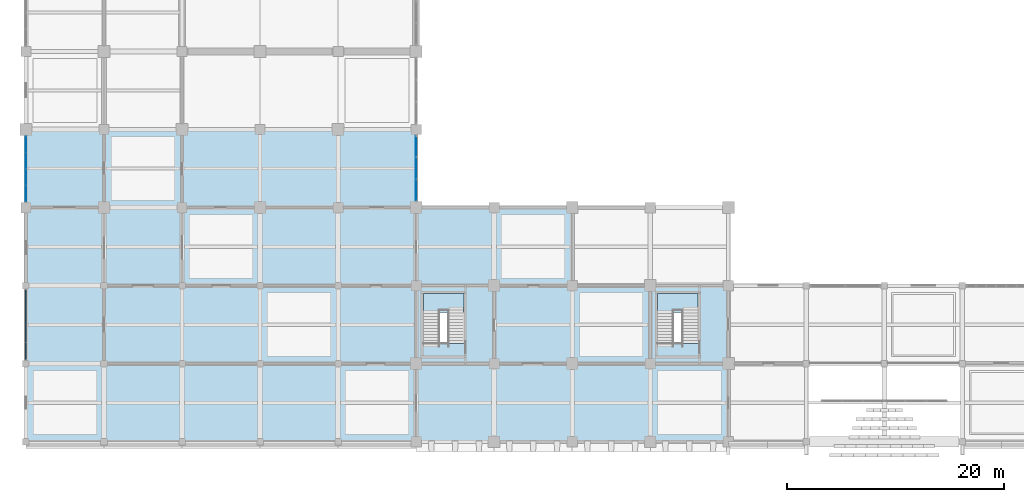
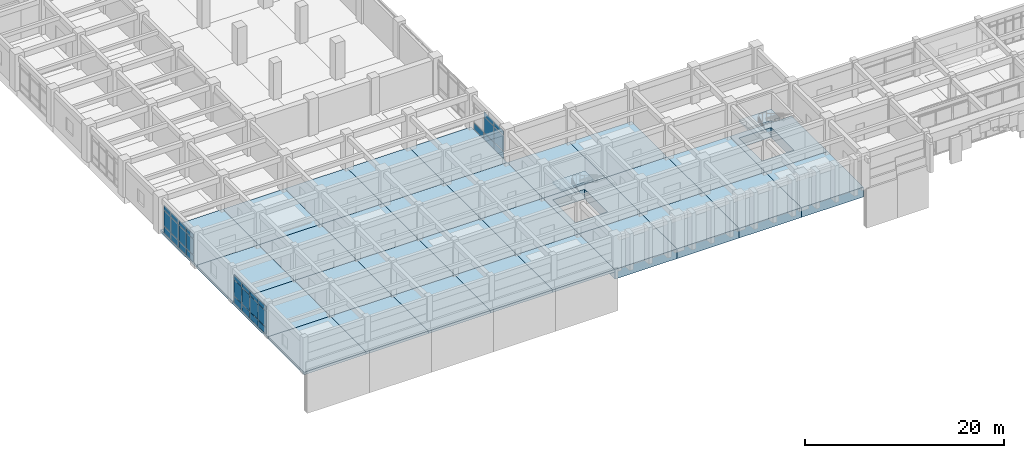
# One storey, part 38 of 81: 32 slabs, 31 plates, 5 elements without a shape of their own.
"""IFC4 building model written with IfcOpenShell, lengths in metres."""

from ifc_helpers import new_model, si_unit, direction, frame, origin, origin_2d, place, context, subcontext, project, spatial, polyline, rectangle, outline, extrude, material, layer, layer_set, type_object, element, aggregate, save


model = new_model("IFC4")

# Units and contexts
model_context = context("Model", 3, precision=1e-05, world=origin(), true_north=direction((0.0, 1.0)))
body_context = subcontext(model_context, "Body", "Model", "MODEL_VIEW")
ifc_project = project(units=[si_unit("LENGTHUNIT", "METRE"), si_unit("AREAUNIT", "SQUARE_METRE"), si_unit("VOLUMEUNIT", "CUBIC_METRE"), si_unit("PLANEANGLEUNIT", "RADIAN"), si_unit("MASSUNIT", "GRAM", prefix="KILO")], contexts=[model_context])

# Site, building, storey
site_placement = place(None, origin())
site = spatial("IfcSite", under=ifc_project, at=site_placement, CompositionType="ELEMENT")
building_placement = place(site_placement, origin())
building = spatial("IfcBuilding", under=site, at=building_placement, Name="Kavelor Marine Aquarium", CompositionType="ELEMENT")
storey_placement = place(building_placement, frame((0.0, 0.0, 4.679931640625)))
storey = spatial("IfcBuildingStorey", under=building, at=storey_placement, Name="L01", CompositionType="ELEMENT", Elevation=4.679931640625)

# Curtain wall, plates
ifc_material_1 = material(Name="Thermally Broken Aluminium and Low-E Glass", Category="aluminium")
ifc_layer_1 = layer(ifc_material_1, 0.243896484375)
ifc_layer_set_1 = layer_set([ifc_layer_1], Name="CW-SYS13")
curtain_wall_type_1 = type_object("IfcCurtainWallType", Name="CW-SYS13", PredefinedType="USERDEFINED", material=ifc_layer_set_1)
curtain_wall_1_placement = place(storey_placement, origin())
curtain_wall_1 = element("IfcCurtainWall", 1, at=curtain_wall_1_placement, inside=storey, type_object=curtain_wall_type_1, Name="cw:y:L01:00_03", ObjectType="Curtain Wall", PredefinedType="USERDEFINED")
ifc_material_2 = material(Name="Solar-Control Double Low-E Glazing", Category="glass")
ifc_layer_2 = layer(ifc_material_2, 0.02587890625)
ifc_layer_set_2 = layer_set([ifc_layer_2], Name="CWP-01")
plate_type_1 = type_object("IfcPlateType", Name="CWP-01", PredefinedType="CURTAIN_PANEL", material=ifc_layer_set_2)
plate_1_placement = place(storey_placement, frame((3.199951171875, 30.2255859375, 0.074951171875), z_axis=(0.0, 0.0, 1.0), x_axis=(0.0, -1.0, 0.0)))
plate_1 = element("IfcPlate", 2, at=plate_1_placement, type_object=plate_type_1, Name="CW13 panel 1.1", PredefinedType="CURTAIN_PANEL", context=body_context, shape_type="SweptSolid", body=[
    extrude(rectangle(XDim=1.40869140625, YDim=0.02587890625, at=origin_2d()), origin(), (0.0, 0.0, 1.0), 0.78759765625),
])
plate_2_placement = place(storey_placement, frame((3.199951171875, 30.2255859375, 0.9375), z_axis=(0.0, 0.0, 1.0), x_axis=(0.0, -1.0, 0.0)))
plate_2 = element("IfcPlate", 3, at=plate_2_placement, type_object=plate_type_1, Name="CW13 panel 1.2", PredefinedType="CURTAIN_PANEL", context=body_context, shape_type="SweptSolid", body=[
    extrude(rectangle(XDim=1.40869140625, YDim=0.02587890625, at=origin_2d()), origin(), (0.0, 0.0, 1.0), 1.885009765625),
])
plate_3_placement = place(storey_placement, frame((3.199951171875, 30.2255859375, 2.8974609375), z_axis=(0.0, 0.0, 1.0), x_axis=(0.0, -1.0, 0.0)))
plate_3 = element("IfcPlate", 4, at=plate_3_placement, type_object=plate_type_1, Name="CW13 panel 1.3", PredefinedType="CURTAIN_PANEL", context=body_context, shape_type="SweptSolid", body=[
    extrude(rectangle(XDim=1.40869140625, YDim=0.02587890625, at=origin_2d()), origin(), (0.0, 0.0, 1.0), 0.53759765625),
])
plate_4_placement = place(storey_placement, frame((3.199951171875, 28.72314453125, 0.074951171875), z_axis=(0.0, 0.0, 1.0), x_axis=(0.0, -1.0, 0.0)))
plate_4 = element("IfcPlate", 5, at=plate_4_placement, type_object=plate_type_1, Name="CW13 panel 2.1", PredefinedType="CURTAIN_PANEL", context=body_context, shape_type="SweptSolid", body=[
    extrude(rectangle(XDim=1.4462890625, YDim=0.02587890625, at=origin_2d()), origin(), (0.0, 0.0, 1.0), 0.78759765625),
])
plate_5_placement = place(storey_placement, frame((3.199951171875, 28.72314453125, 0.9375), z_axis=(0.0, 0.0, 1.0), x_axis=(0.0, -1.0, 0.0)))
plate_5 = element("IfcPlate", 6, at=plate_5_placement, type_object=plate_type_1, Name="CW13 panel 2.2", PredefinedType="CURTAIN_PANEL", context=body_context, shape_type="SweptSolid", body=[
    extrude(rectangle(XDim=1.4462890625, YDim=0.02587890625, at=origin_2d()), origin(), (0.0, 0.0, 1.0), 1.885009765625),
])
plate_6_placement = place(storey_placement, frame((3.199951171875, 28.72314453125, 2.8974609375), z_axis=(0.0, 0.0, 1.0), x_axis=(0.0, -1.0, 0.0)))
plate_6 = element("IfcPlate", 7, at=plate_6_placement, type_object=plate_type_1, Name="CW13 panel 2.3", PredefinedType="CURTAIN_PANEL", context=body_context, shape_type="SweptSolid", body=[
    extrude(rectangle(XDim=1.4462890625, YDim=0.02587890625, at=origin_2d()), origin(), (0.0, 0.0, 1.0), 0.53759765625),
])
plate_7_placement = place(storey_placement, frame((3.199951171875, 27.201904296875, 0.074951171875), z_axis=(0.0, 0.0, 1.0), x_axis=(0.0, -1.0, 0.0)))
plate_7 = element("IfcPlate", 8, at=plate_7_placement, type_object=plate_type_1, Name="CW13 panel 3.1", PredefinedType="CURTAIN_PANEL", context=body_context, shape_type="SweptSolid", body=[
    extrude(rectangle(XDim=1.4462890625, YDim=0.02587890625, at=origin_2d()), origin(), (0.0, 0.0, 1.0), 0.78759765625),
])
plate_8_placement = place(storey_placement, frame((3.199951171875, 27.201904296875, 0.9375), z_axis=(0.0, 0.0, 1.0), x_axis=(0.0, -1.0, 0.0)))
plate_8 = element("IfcPlate", 9, at=plate_8_placement, type_object=plate_type_1, Name="CW13 panel 3.2", PredefinedType="CURTAIN_PANEL", context=body_context, shape_type="SweptSolid", body=[
    extrude(rectangle(XDim=1.4462890625, YDim=0.02587890625, at=origin_2d()), origin(), (0.0, 0.0, 1.0), 1.885009765625),
])
plate_9_placement = place(storey_placement, frame((3.199951171875, 27.201904296875, 2.8974609375), z_axis=(0.0, 0.0, 1.0), x_axis=(0.0, -1.0, 0.0)))
plate_9 = element("IfcPlate", 10, at=plate_9_placement, type_object=plate_type_1, Name="CW13 panel 3.3", PredefinedType="CURTAIN_PANEL", context=body_context, shape_type="SweptSolid", body=[
    extrude(rectangle(XDim=1.4462890625, YDim=0.02587890625, at=origin_2d()), origin(), (0.0, 0.0, 1.0), 0.53759765625),
])
plate_10_placement = place(storey_placement, frame((3.199951171875, 25.699462890625, 0.074951171875), z_axis=(0.0, 0.0, 1.0), x_axis=(0.0, -1.0, 0.0)))
plate_10 = element("IfcPlate", 11, at=plate_10_placement, type_object=plate_type_1, Name="CW13 panel 4.1", PredefinedType="CURTAIN_PANEL", context=body_context, shape_type="SweptSolid", body=[
    extrude(rectangle(XDim=1.40869140625, YDim=0.02587890625, at=origin_2d()), origin(), (0.0, 0.0, 1.0), 0.78759765625),
])
plate_11_placement = place(storey_placement, frame((3.199951171875, 25.699462890625, 0.9375), z_axis=(0.0, 0.0, 1.0), x_axis=(0.0, -1.0, 0.0)))
plate_11 = element("IfcPlate", 12, at=plate_11_placement, type_object=plate_type_1, Name="CW13 panel 4.2", PredefinedType="CURTAIN_PANEL", context=body_context, shape_type="SweptSolid", body=[
    extrude(rectangle(XDim=1.40869140625, YDim=0.02587890625, at=origin_2d()), origin(), (0.0, 0.0, 1.0), 1.885009765625),
])
plate_12_placement = place(storey_placement, frame((3.199951171875, 25.699462890625, 2.8974609375), z_axis=(0.0, 0.0, 1.0), x_axis=(0.0, -1.0, 0.0)))
plate_12 = element("IfcPlate", 13, at=plate_12_placement, type_object=plate_type_1, Name="CW13 panel 4.3", PredefinedType="CURTAIN_PANEL", context=body_context, shape_type="SweptSolid", body=[
    extrude(rectangle(XDim=1.40869140625, YDim=0.02587890625, at=origin_2d()), origin(), (0.0, 0.0, 1.0), 0.53759765625),
])
aggregate(curtain_wall_1, [plate_1, plate_2, plate_3, plate_4, plate_5, plate_6, plate_7, plate_8, plate_9, plate_10, plate_11, plate_12])

ifc_material_3 = material(Name="Thermally Broken Aluminium and Low-E Glass", Category="aluminium")
ifc_layer_3 = layer(ifc_material_3, 0.26806640625)
ifc_layer_set_3 = layer_set([ifc_layer_3], Name="CW-SYS16")
curtain_wall_type_2 = type_object("IfcCurtainWallType", Name="CW-SYS16", PredefinedType="USERDEFINED", material=ifc_layer_set_3)
curtain_wall_2_placement = place(storey_placement, origin())
curtain_wall_2 = element("IfcCurtainWall", 14, at=curtain_wall_2_placement, inside=storey, type_object=curtain_wall_type_2, Name="cw:y:L01:05_03", ObjectType="Curtain Wall", PredefinedType="USERDEFINED")
ifc_material_4 = material(Name="Solar-Control Double Low-E Glazing", Category="glass")
ifc_layer_4 = layer(ifc_material_4, 0.031982421875)
ifc_layer_set_4 = layer_set([ifc_layer_4], Name="CWP-04")
plate_type_2 = type_object("IfcPlateType", Name="CWP-04", PredefinedType="CURTAIN_PANEL", material=ifc_layer_set_4)
plate_13_placement = place(storey_placement, frame((39.199951171875, 26.02783203125, 0.06005859375), z_axis=(0.0, 0.0, 1.0), x_axis=(0.0, 1.0, 0.0)))
plate_13 = element("IfcPlate", 15, at=plate_13_placement, type_object=plate_type_2, Name="CW16 panel 1.1", PredefinedType="CURTAIN_PANEL", context=body_context, shape_type="SweptSolid", body=[
    extrude(rectangle(XDim=1.915771484375, YDim=0.031982421875, at=origin_2d()), origin(), (0.0, 0.0, 1.0), 0.81005859375),
])
plate_14_placement = place(storey_placement, frame((39.199951171875, 26.02783203125, 0.93017578125), z_axis=(0.0, 0.0, 1.0), x_axis=(0.0, 1.0, 0.0)))
plate_14 = element("IfcPlate", 16, at=plate_14_placement, type_object=plate_type_2, Name="CW16 panel 1.2", PredefinedType="CURTAIN_PANEL", context=body_context, shape_type="SweptSolid", body=[
    extrude(rectangle(XDim=1.915771484375, YDim=0.031982421875, at=origin_2d()), origin(), (0.0, 0.0, 1.0), 1.89990234375),
])
plate_15_placement = place(storey_placement, frame((39.199951171875, 26.02783203125, 2.89013671875), z_axis=(0.0, 0.0, 1.0), x_axis=(0.0, 1.0, 0.0)))
plate_15 = element("IfcPlate", 17, at=plate_15_placement, type_object=plate_type_2, Name="CW16 panel 1.3", PredefinedType="CURTAIN_PANEL", context=body_context, shape_type="SweptSolid", body=[
    extrude(rectangle(XDim=1.915771484375, YDim=0.031982421875, at=origin_2d()), origin(), (0.0, 0.0, 1.0), 0.56005859375),
])
plate_16_placement = place(storey_placement, frame((39.199951171875, 28.03759765625, 0.06005859375), z_axis=(0.0, 0.0, 1.0), x_axis=(0.0, 1.0, 0.0)))
plate_16 = element("IfcPlate", 18, at=plate_16_placement, type_object=plate_type_2, Name="CW16 panel 2.1", PredefinedType="CURTAIN_PANEL", context=body_context, shape_type="SweptSolid", body=[
    extrude(rectangle(XDim=1.953369140625, YDim=0.031982421875, at=origin_2d()), origin(), (0.0, 0.0, 1.0), 0.81005859375),
])
plate_17_placement = place(storey_placement, frame((39.199951171875, 28.03759765625, 0.93017578125), z_axis=(0.0, 0.0, 1.0), x_axis=(0.0, 1.0, 0.0)))
plate_17 = element("IfcPlate", 19, at=plate_17_placement, type_object=plate_type_2, Name="CW16 panel 2.2", PredefinedType="CURTAIN_PANEL", context=body_context, shape_type="SweptSolid", body=[
    extrude(rectangle(XDim=1.953369140625, YDim=0.031982421875, at=origin_2d()), origin(), (0.0, 0.0, 1.0), 1.89990234375),
])
plate_18_placement = place(storey_placement, frame((39.199951171875, 28.03759765625, 2.89013671875), z_axis=(0.0, 0.0, 1.0), x_axis=(0.0, 1.0, 0.0)))
plate_18 = element("IfcPlate", 20, at=plate_18_placement, type_object=plate_type_2, Name="CW16 panel 2.3", PredefinedType="CURTAIN_PANEL", context=body_context, shape_type="SweptSolid", body=[
    extrude(rectangle(XDim=1.953369140625, YDim=0.031982421875, at=origin_2d()), origin(), (0.0, 0.0, 1.0), 0.56005859375),
])
plate_19_placement = place(storey_placement, frame((39.199951171875, 30.047119140625, 0.06005859375), z_axis=(0.0, 0.0, 1.0), x_axis=(0.0, 1.0, 0.0)))
plate_19 = element("IfcPlate", 21, at=plate_19_placement, type_object=plate_type_2, Name="CW16 panel 3.1", PredefinedType="CURTAIN_PANEL", context=body_context, shape_type="SweptSolid", body=[
    extrude(rectangle(XDim=1.915771484375, YDim=0.031982421875, at=origin_2d()), origin(), (0.0, 0.0, 1.0), 0.81005859375),
])
aggregate(curtain_wall_2, [plate_13, plate_14, plate_15, plate_16, plate_17, plate_18, plate_19])

ifc_material_5 = material(Name="Thermally Broken Aluminium and Low-E Glass", Category="aluminium")
ifc_layer_5 = layer(ifc_material_5, 0.236083984375)
ifc_layer_set_5 = layer_set([ifc_layer_5], Name="CW-SYS12")
curtain_wall_type_3 = type_object("IfcCurtainWallType", Name="CW-SYS12", PredefinedType="USERDEFINED", material=ifc_layer_set_5)
curtain_wall_3_placement = place(storey_placement, origin())
curtain_wall_3 = element("IfcCurtainWall", 22, at=curtain_wall_3_placement, inside=storey, type_object=curtain_wall_type_3, Name="cw:y:L01:00_01", ObjectType="Curtain Wall", PredefinedType="USERDEFINED")
ifc_material_6 = material(Name="Laminated Cast Acrylic Viewing Glazing", Category="glass")
ifc_layer_6 = layer(ifc_material_6, 0.095947265625)
ifc_layer_set_6 = layer_set([ifc_layer_6], Name="CWP-36")
plate_type_3 = type_object("IfcPlateType", Name="CWP-36", PredefinedType="CURTAIN_PANEL", material=ifc_layer_set_6)
plate_20_placement = place(storey_placement, frame((3.199951171875, 16.0263671875, 0.074951171875), z_axis=(0.0, 0.0, 1.0), x_axis=(0.0, -1.0, 0.0)))
plate_20 = element("IfcPlate", 23, at=plate_20_placement, type_object=plate_type_3, Name="CW12 panel 1.1", PredefinedType="CURTAIN_PANEL", context=body_context, shape_type="SweptSolid", body=[
    extrude(rectangle(XDim=1.53759765625, YDim=0.095947265625, at=origin_2d()), origin(), (0.0, 0.0, 1.0), 0.78759765625),
])
plate_21_placement = place(storey_placement, frame((3.199951171875, 16.0263671875, 0.9375), z_axis=(0.0, 0.0, 1.0), x_axis=(0.0, -1.0, 0.0)))
plate_21 = element("IfcPlate", 24, at=plate_21_placement, type_object=plate_type_3, Name="CW12 panel 1.2", PredefinedType="CURTAIN_PANEL", context=body_context, shape_type="SweptSolid", body=[
    extrude(rectangle(XDim=1.53759765625, YDim=0.095947265625, at=origin_2d()), origin(), (0.0, 0.0, 1.0), 1.925048828125),
])
plate_22_placement = place(storey_placement, frame((3.199951171875, 16.0263671875, 2.9375), z_axis=(0.0, 0.0, 1.0), x_axis=(0.0, -1.0, 0.0)))
plate_22 = element("IfcPlate", 25, at=plate_22_placement, type_object=plate_type_3, Name="CW12 panel 1.3", PredefinedType="CURTAIN_PANEL", context=body_context, shape_type="SweptSolid", body=[
    extrude(rectangle(XDim=1.53759765625, YDim=0.095947265625, at=origin_2d()), origin(), (0.0, 0.0, 1.0), 0.53759765625),
])
plate_23_placement = place(storey_placement, frame((3.199951171875, 14.413818359375, 0.074951171875), z_axis=(0.0, 0.0, 1.0), x_axis=(0.0, -1.0, 0.0)))
plate_23 = element("IfcPlate", 26, at=plate_23_placement, type_object=plate_type_3, Name="CW12 panel 2.1", PredefinedType="CURTAIN_PANEL", context=body_context, shape_type="SweptSolid", body=[
    extrude(rectangle(XDim=1.5673828125, YDim=0.095947265625, at=origin_2d()), origin(), (0.0, 0.0, 1.0), 0.78759765625),
])
plate_24_placement = place(storey_placement, frame((3.199951171875, 14.413818359375, 0.9375), z_axis=(0.0, 0.0, 1.0), x_axis=(0.0, -1.0, 0.0)))
plate_24 = element("IfcPlate", 27, at=plate_24_placement, type_object=plate_type_3, Name="CW12 panel 2.2", PredefinedType="CURTAIN_PANEL", context=body_context, shape_type="SweptSolid", body=[
    extrude(rectangle(XDim=1.5673828125, YDim=0.095947265625, at=origin_2d()), origin(), (0.0, 0.0, 1.0), 1.925048828125),
])
plate_25_placement = place(storey_placement, frame((3.199951171875, 14.413818359375, 2.9375), z_axis=(0.0, 0.0, 1.0), x_axis=(0.0, -1.0, 0.0)))
plate_25 = element("IfcPlate", 28, at=plate_25_placement, type_object=plate_type_3, Name="CW12 panel 2.3", PredefinedType="CURTAIN_PANEL", context=body_context, shape_type="SweptSolid", body=[
    extrude(rectangle(XDim=1.5673828125, YDim=0.095947265625, at=origin_2d()), origin(), (0.0, 0.0, 1.0), 0.53759765625),
])
plate_26_placement = place(storey_placement, frame((3.199951171875, 12.7861328125, 0.074951171875), z_axis=(0.0, 0.0, 1.0), x_axis=(0.0, -1.0, 0.0)))
plate_26 = element("IfcPlate", 29, at=plate_26_placement, type_object=plate_type_3, Name="CW12 panel 3.1", PredefinedType="CURTAIN_PANEL", context=body_context, shape_type="SweptSolid", body=[
    extrude(rectangle(XDim=1.5673828125, YDim=0.095947265625, at=origin_2d()), origin(), (0.0, 0.0, 1.0), 0.78759765625),
])
plate_27_placement = place(storey_placement, frame((3.199951171875, 12.7861328125, 0.9375), z_axis=(0.0, 0.0, 1.0), x_axis=(0.0, -1.0, 0.0)))
plate_27 = element("IfcPlate", 30, at=plate_27_placement, type_object=plate_type_3, Name="CW12 panel 3.2", PredefinedType="CURTAIN_PANEL", context=body_context, shape_type="SweptSolid", body=[
    extrude(rectangle(XDim=1.5673828125, YDim=0.095947265625, at=origin_2d()), origin(), (0.0, 0.0, 1.0), 1.925048828125),
])
plate_28_placement = place(storey_placement, frame((3.199951171875, 12.7861328125, 2.9375), z_axis=(0.0, 0.0, 1.0), x_axis=(0.0, -1.0, 0.0)))
plate_28 = element("IfcPlate", 31, at=plate_28_placement, type_object=plate_type_3, Name="CW12 panel 3.3", PredefinedType="CURTAIN_PANEL", context=body_context, shape_type="SweptSolid", body=[
    extrude(rectangle(XDim=1.5673828125, YDim=0.095947265625, at=origin_2d()), origin(), (0.0, 0.0, 1.0), 0.53759765625),
])
plate_29_placement = place(storey_placement, frame((3.199951171875, 11.173828125, 0.074951171875), z_axis=(0.0, 0.0, 1.0), x_axis=(0.0, -1.0, 0.0)))
plate_29 = element("IfcPlate", 32, at=plate_29_placement, type_object=plate_type_3, Name="CW12 panel 4.1", PredefinedType="CURTAIN_PANEL", context=body_context, shape_type="SweptSolid", body=[
    extrude(rectangle(XDim=1.53759765625, YDim=0.095947265625, at=origin_2d()), origin(), (0.0, 0.0, 1.0), 0.78759765625),
])
plate_30_placement = place(storey_placement, frame((3.199951171875, 11.173828125, 0.9375), z_axis=(0.0, 0.0, 1.0), x_axis=(0.0, -1.0, 0.0)))
plate_30 = element("IfcPlate", 33, at=plate_30_placement, type_object=plate_type_3, Name="CW12 panel 4.2", PredefinedType="CURTAIN_PANEL", context=body_context, shape_type="SweptSolid", body=[
    extrude(rectangle(XDim=1.53759765625, YDim=0.095947265625, at=origin_2d()), origin(), (0.0, 0.0, 1.0), 1.925048828125),
])
plate_31_placement = place(storey_placement, frame((3.199951171875, 11.173828125, 2.9375), z_axis=(0.0, 0.0, 1.0), x_axis=(0.0, -1.0, 0.0)))
plate_31 = element("IfcPlate", 34, at=plate_31_placement, type_object=plate_type_3, Name="CW12 panel 4.3", PredefinedType="CURTAIN_PANEL", context=body_context, shape_type="SweptSolid", body=[
    extrude(rectangle(XDim=1.53759765625, YDim=0.095947265625, at=origin_2d()), origin(), (0.0, 0.0, 1.0), 0.53759765625),
])
aggregate(curtain_wall_3, [plate_20, plate_21, plate_22, plate_23, plate_24, plate_25, plate_26, plate_27, plate_28, plate_29, plate_30, plate_31])

# Stair, slab
ifc_material_7 = material(Name="Concrete C40/50", Category="concrete")
stair_type = type_object("IfcStairType", Name="ST-T2", PredefinedType="HALF_TURN_STAIR", material=ifc_material_7)
stair_1_placement = place(storey_placement, origin())
stair_1 = element("IfcStair", 35, at=stair_1_placement, inside=storey, type_object=stair_type, Name="Exit Stair ST04 (L01)", PredefinedType="HALF_TURN_STAIR")
ifc_material_8 = material(Name="Concrete C40/50", Category="concrete")
ifc_layer_7 = layer(ifc_material_8, 0.199951171875)
ifc_layer_set_7 = layer_set([ifc_layer_7], Name="LND-T2")
slab_type_1 = type_object("IfcSlabType", Name="LND-T2", PredefinedType="LANDING", material=ifc_layer_set_7)
slab_1_placement = place(storey_placement, frame((0.0, 0.0, 2.050048828125)))
slab_1 = element("IfcSlab", 36, at=slab_1_placement, type_object=slab_type_1, Name="ST04 landing 1", PredefinedType="LANDING", context=body_context, shape_type="SweptSolid", body=[
    extrude(outline(polyline([(39.860107421875, 14.739990234375), (43.6201171875, 14.739990234375), (43.6201171875, 16.4599609375), (39.860107421875, 16.4599609375), (39.860107421875, 14.739990234375)])), origin(), (0.0, 0.0, 1.0), 0.199951171875),
])
aggregate(stair_1, [slab_1])

stair_2_placement = place(storey_placement, origin())
stair_2 = element("IfcStair", 37, at=stair_2_placement, inside=storey, type_object=stair_type, Name="Exit Stair ST12 (L01)", PredefinedType="HALF_TURN_STAIR")
slab_2_placement = place(storey_placement, frame((0.0, 0.0, 2.050048828125)))
slab_2 = element("IfcSlab", 38, at=slab_2_placement, type_object=slab_type_1, Name="ST12 landing 1", PredefinedType="LANDING", context=body_context, shape_type="SweptSolid", body=[
    extrude(outline(polyline([(61.4599609375, 14.739990234375), (65.219970703125, 14.739990234375), (65.219970703125, 16.4599609375), (61.4599609375, 16.4599609375), (61.4599609375, 14.739990234375)])), origin(), (0.0, 0.0, 1.0), 0.199951171875),
])
aggregate(stair_2, [slab_2])

# Slabs
ifc_material_9 = material(Name="Concrete C40/50", Category="concrete")
ifc_layer_8 = layer(ifc_material_9, 0.300048828125)
ifc_layer_set_8 = layer_set([ifc_layer_8], Name="SL-FL1")
slab_type_2 = type_object("IfcSlabType", Name="SL-FL1", PredefinedType="FLOOR", material=ifc_layer_set_8)
slab_3_placement = place(storey_placement, frame((0.0, 0.0, -0.300048828125)))
element("IfcSlab", 39, at=slab_3_placement, inside=storey, type_object=slab_type_2, Name="slab:L01:00_00", PredefinedType="FLOOR", context=body_context, shape_type="SweptSolid", body=[
    extrude(outline(polyline([(3.199951171875, 2.800048828125), (10.39990234375, 2.800048828125), (10.39990234375, 10.0), (3.199951171875, 10.0), (3.199951171875, 2.800048828125)])), origin(), (0.0, 0.0, 1.0), 0.300048828125),
])
slab_4_placement = place(storey_placement, frame((0.0, 0.0, -0.300048828125)))
element("IfcSlab", 40, at=slab_4_placement, inside=storey, type_object=slab_type_2, Name="slab:L01:00_01", PredefinedType="FLOOR", context=body_context, shape_type="SweptSolid", body=[
    extrude(outline(polyline([(3.199951171875, 10.0), (10.39990234375, 10.0), (10.39990234375, 17.199951171875), (3.199951171875, 17.199951171875), (3.199951171875, 10.0)])), origin(), (0.0, 0.0, 1.0), 0.300048828125),
])
slab_5_placement = place(storey_placement, frame((0.0, 0.0, -0.300048828125)))
element("IfcSlab", 41, at=slab_5_placement, inside=storey, type_object=slab_type_2, Name="slab:L01:00_02", PredefinedType="FLOOR", context=body_context, shape_type="SweptSolid", body=[
    extrude(outline(polyline([(3.199951171875, 17.199951171875), (10.39990234375, 17.199951171875), (10.39990234375, 24.39990234375), (3.199951171875, 24.39990234375), (3.199951171875, 17.199951171875)])), origin(), (0.0, 0.0, 1.0), 0.300048828125),
])
slab_6_placement = place(storey_placement, frame((0.0, 0.0, -0.300048828125)))
element("IfcSlab", 42, at=slab_6_placement, inside=storey, type_object=slab_type_2, Name="slab:L01:00_03", PredefinedType="FLOOR", context=body_context, shape_type="SweptSolid", body=[
    extrude(outline(polyline([(3.199951171875, 24.39990234375), (10.39990234375, 24.39990234375), (10.39990234375, 31.60009765625), (3.199951171875, 31.60009765625), (3.199951171875, 24.39990234375)])), origin(), (0.0, 0.0, 1.0), 0.300048828125),
])
slab_7_placement = place(storey_placement, frame((0.0, 0.0, -0.300048828125)))
element("IfcSlab", 43, at=slab_7_placement, inside=storey, type_object=slab_type_2, Name="slab:L01:01_00", PredefinedType="FLOOR", context=body_context, shape_type="SweptSolid", body=[
    extrude(outline(polyline([(10.39990234375, 2.800048828125), (17.60009765625, 2.800048828125), (17.60009765625, 10.0), (10.39990234375, 10.0), (10.39990234375, 2.800048828125)])), origin(), (0.0, 0.0, 1.0), 0.300048828125),
])
slab_8_placement = place(storey_placement, frame((0.0, 0.0, -0.300048828125)))
element("IfcSlab", 44, at=slab_8_placement, inside=storey, type_object=slab_type_2, Name="slab:L01:01_01", PredefinedType="FLOOR", context=body_context, shape_type="SweptSolid", body=[
    extrude(outline(polyline([(10.39990234375, 10.0), (17.60009765625, 10.0), (17.60009765625, 17.199951171875), (10.39990234375, 17.199951171875), (10.39990234375, 10.0)])), origin(), (0.0, 0.0, 1.0), 0.300048828125),
])
slab_9_placement = place(storey_placement, frame((0.0, 0.0, -0.300048828125)))
element("IfcSlab", 45, at=slab_9_placement, inside=storey, type_object=slab_type_2, Name="slab:L01:01_02", PredefinedType="FLOOR", context=body_context, shape_type="SweptSolid", body=[
    extrude(outline(polyline([(10.39990234375, 17.199951171875), (17.60009765625, 17.199951171875), (17.60009765625, 24.39990234375), (10.39990234375, 24.39990234375), (10.39990234375, 17.199951171875)])), origin(), (0.0, 0.0, 1.0), 0.300048828125),
])
slab_10_placement = place(storey_placement, frame((0.0, 0.0, -0.300048828125)))
element("IfcSlab", 46, at=slab_10_placement, inside=storey, type_object=slab_type_2, Name="slab:L01:01_03", PredefinedType="FLOOR", context=body_context, shape_type="SweptSolid", body=[
    extrude(outline(polyline([(10.39990234375, 24.39990234375), (17.60009765625, 24.39990234375), (17.60009765625, 31.60009765625), (10.39990234375, 31.60009765625), (10.39990234375, 24.39990234375)])), origin(), (0.0, 0.0, 1.0), 0.300048828125),
])
slab_11_placement = place(storey_placement, frame((0.0, 0.0, -0.300048828125)))
element("IfcSlab", 47, at=slab_11_placement, inside=storey, type_object=slab_type_2, Name="slab:L01:02_00", PredefinedType="FLOOR", context=body_context, shape_type="SweptSolid", body=[
    extrude(outline(polyline([(17.60009765625, 2.800048828125), (24.800048828125, 2.800048828125), (24.800048828125, 10.0), (17.60009765625, 10.0), (17.60009765625, 2.800048828125)])), origin(), (0.0, 0.0, 1.0), 0.300048828125),
])
slab_12_placement = place(storey_placement, frame((0.0, 0.0, -0.300048828125)))
element("IfcSlab", 48, at=slab_12_placement, inside=storey, type_object=slab_type_2, Name="slab:L01:02_01", PredefinedType="FLOOR", context=body_context, shape_type="SweptSolid", body=[
    extrude(outline(polyline([(17.60009765625, 10.0), (24.800048828125, 10.0), (24.800048828125, 17.199951171875), (17.60009765625, 17.199951171875), (17.60009765625, 10.0)])), origin(), (0.0, 0.0, 1.0), 0.300048828125),
])
slab_13_placement = place(storey_placement, frame((0.0, 0.0, -0.300048828125)))
element("IfcSlab", 49, at=slab_13_placement, inside=storey, type_object=slab_type_2, Name="slab:L01:02_02", PredefinedType="FLOOR", context=body_context, shape_type="SweptSolid", body=[
    extrude(outline(polyline([(17.60009765625, 17.199951171875), (24.800048828125, 17.199951171875), (24.800048828125, 24.39990234375), (17.60009765625, 24.39990234375), (17.60009765625, 17.199951171875)])), origin(), (0.0, 0.0, 1.0), 0.300048828125),
])
slab_14_placement = place(storey_placement, frame((0.0, 0.0, -0.300048828125)))
element("IfcSlab", 50, at=slab_14_placement, inside=storey, type_object=slab_type_2, Name="slab:L01:02_03", PredefinedType="FLOOR", context=body_context, shape_type="SweptSolid", body=[
    extrude(outline(polyline([(17.60009765625, 24.39990234375), (24.800048828125, 24.39990234375), (24.800048828125, 31.60009765625), (17.60009765625, 31.60009765625), (17.60009765625, 24.39990234375)])), origin(), (0.0, 0.0, 1.0), 0.300048828125),
])
slab_15_placement = place(storey_placement, frame((0.0, 0.0, -0.300048828125)))
element("IfcSlab", 51, at=slab_15_placement, inside=storey, type_object=slab_type_2, Name="slab:L01:03_00", PredefinedType="FLOOR", context=body_context, shape_type="SweptSolid", body=[
    extrude(outline(polyline([(24.800048828125, 2.800048828125), (32.0, 2.800048828125), (32.0, 10.0), (24.800048828125, 10.0), (24.800048828125, 2.800048828125)])), origin(), (0.0, 0.0, 1.0), 0.300048828125),
])
slab_16_placement = place(storey_placement, frame((0.0, 0.0, -0.300048828125)))
element("IfcSlab", 52, at=slab_16_placement, inside=storey, type_object=slab_type_2, Name="slab:L01:03_01", PredefinedType="FLOOR", context=body_context, shape_type="SweptSolid", body=[
    extrude(outline(polyline([(24.800048828125, 10.0), (32.0, 10.0), (32.0, 17.199951171875), (24.800048828125, 17.199951171875), (24.800048828125, 10.0)])), origin(), (0.0, 0.0, 1.0), 0.300048828125),
])
slab_17_placement = place(storey_placement, frame((0.0, 0.0, -0.300048828125)))
element("IfcSlab", 53, at=slab_17_placement, inside=storey, type_object=slab_type_2, Name="slab:L01:03_02", PredefinedType="FLOOR", context=body_context, shape_type="SweptSolid", body=[
    extrude(outline(polyline([(24.800048828125, 17.199951171875), (32.0, 17.199951171875), (32.0, 24.39990234375), (24.800048828125, 24.39990234375), (24.800048828125, 17.199951171875)])), origin(), (0.0, 0.0, 1.0), 0.300048828125),
])
slab_18_placement = place(storey_placement, frame((0.0, 0.0, -0.300048828125)))
element("IfcSlab", 54, at=slab_18_placement, inside=storey, type_object=slab_type_2, Name="slab:L01:03_03", PredefinedType="FLOOR", context=body_context, shape_type="SweptSolid", body=[
    extrude(outline(polyline([(24.800048828125, 24.39990234375), (32.0, 24.39990234375), (32.0, 31.60009765625), (24.800048828125, 31.60009765625), (24.800048828125, 24.39990234375)])), origin(), (0.0, 0.0, 1.0), 0.300048828125),
])
slab_19_placement = place(storey_placement, frame((0.0, 0.0, -0.300048828125)))
element("IfcSlab", 55, at=slab_19_placement, inside=storey, type_object=slab_type_2, Name="slab:L01:04_00", PredefinedType="FLOOR", context=body_context, shape_type="SweptSolid", body=[
    extrude(outline(polyline([(32.0, 2.800048828125), (39.199951171875, 2.800048828125), (39.199951171875, 10.0), (32.0, 10.0), (32.0, 2.800048828125)])), origin(), (0.0, 0.0, 1.0), 0.300048828125),
])
slab_20_placement = place(storey_placement, frame((0.0, 0.0, -0.300048828125)))
element("IfcSlab", 56, at=slab_20_placement, inside=storey, type_object=slab_type_2, Name="slab:L01:04_01", PredefinedType="FLOOR", context=body_context, shape_type="SweptSolid", body=[
    extrude(outline(polyline([(32.0, 10.0), (39.199951171875, 10.0), (39.199951171875, 17.199951171875), (32.0, 17.199951171875), (32.0, 10.0)])), origin(), (0.0, 0.0, 1.0), 0.300048828125),
])
slab_21_placement = place(storey_placement, frame((0.0, 0.0, -0.300048828125)))
element("IfcSlab", 57, at=slab_21_placement, inside=storey, type_object=slab_type_2, Name="slab:L01:04_02", PredefinedType="FLOOR", context=body_context, shape_type="SweptSolid", body=[
    extrude(outline(polyline([(32.0, 17.199951171875), (39.199951171875, 17.199951171875), (39.199951171875, 24.39990234375), (32.0, 24.39990234375), (32.0, 17.199951171875)])), origin(), (0.0, 0.0, 1.0), 0.300048828125),
])
slab_22_placement = place(storey_placement, frame((0.0, 0.0, -0.300048828125)))
element("IfcSlab", 58, at=slab_22_placement, inside=storey, type_object=slab_type_2, Name="slab:L01:04_03", PredefinedType="FLOOR", context=body_context, shape_type="SweptSolid", body=[
    extrude(outline(polyline([(32.0, 24.39990234375), (39.199951171875, 24.39990234375), (39.199951171875, 31.60009765625), (32.0, 31.60009765625), (32.0, 24.39990234375)])), origin(), (0.0, 0.0, 1.0), 0.300048828125),
])
ifc_material_10 = material(Name="Concrete C45/55", Category="concrete")
ifc_layer_9 = layer(ifc_material_10, 1.199951171875)
ifc_layer_set_9 = layer_set([ifc_layer_9], Name="SL-TR1")
slab_type_3 = type_object("IfcSlabType", Name="SL-TR1", PredefinedType="FLOOR", material=ifc_layer_set_9)
slab_23_placement = place(storey_placement, frame((0.0, 0.0, -1.199951171875)))
element("IfcSlab", 59, at=slab_23_placement, inside=storey, type_object=slab_type_3, Name="slab:L01:05_00", PredefinedType="FLOOR", context=body_context, shape_type="SweptSolid", body=[
    extrude(outline(polyline([(39.199951171875, 2.800048828125), (46.39990234375, 2.800048828125), (46.39990234375, 10.0), (39.199951171875, 10.0), (39.199951171875, 2.800048828125)])), origin(), (0.0, 0.0, 1.0), 1.199951171875),
])
slab_24_placement = place(storey_placement, frame((0.0, 0.0, -1.199951171875)))
element("IfcSlab", 60, at=slab_24_placement, inside=storey, type_object=slab_type_3, Name="slab:L01:05_01", PredefinedType="FLOOR", context=body_context, shape_type="SweptSolid", body=[
    extrude(outline(polyline([(39.199951171875, 10.0), (46.39990234375, 10.0), (46.39990234375, 17.199951171875), (39.199951171875, 17.199951171875), (39.199951171875, 10.0)]), holes=[polyline([(39.8798828125, 11.883056640625), (43.60009765625, 11.883056640625), (43.60009765625, 16.469970703125), (39.8798828125, 16.469970703125), (39.8798828125, 11.883056640625)])]), origin(), (0.0, 0.0, 1.0), 1.199951171875),
])
slab_25_placement = place(storey_placement, frame((0.0, 0.0, -1.199951171875)))
element("IfcSlab", 61, at=slab_25_placement, inside=storey, type_object=slab_type_3, Name="slab:L01:05_02", PredefinedType="FLOOR", context=body_context, shape_type="SweptSolid", body=[
    extrude(outline(polyline([(39.199951171875, 17.199951171875), (46.39990234375, 17.199951171875), (46.39990234375, 24.39990234375), (39.199951171875, 24.39990234375), (39.199951171875, 17.199951171875)])), origin(), (0.0, 0.0, 1.0), 1.199951171875),
])
slab_26_placement = place(storey_placement, frame((0.0, 0.0, -1.199951171875)))
element("IfcSlab", 62, at=slab_26_placement, inside=storey, type_object=slab_type_3, Name="slab:L01:06_00", PredefinedType="FLOOR", context=body_context, shape_type="SweptSolid", body=[
    extrude(outline(polyline([(46.39990234375, 2.800048828125), (53.60009765625, 2.800048828125), (53.60009765625, 10.0), (46.39990234375, 10.0), (46.39990234375, 2.800048828125)])), origin(), (0.0, 0.0, 1.0), 1.199951171875),
])
slab_27_placement = place(storey_placement, frame((0.0, 0.0, -1.199951171875)))
element("IfcSlab", 63, at=slab_27_placement, inside=storey, type_object=slab_type_3, Name="slab:L01:06_01", PredefinedType="FLOOR", context=body_context, shape_type="SweptSolid", body=[
    extrude(outline(polyline([(46.39990234375, 10.0), (53.60009765625, 10.0), (53.60009765625, 17.199951171875), (46.39990234375, 17.199951171875), (46.39990234375, 10.0)])), origin(), (0.0, 0.0, 1.0), 1.199951171875),
])
slab_28_placement = place(storey_placement, frame((0.0, 0.0, -1.199951171875)))
element("IfcSlab", 64, at=slab_28_placement, inside=storey, type_object=slab_type_3, Name="slab:L01:06_02", PredefinedType="FLOOR", context=body_context, shape_type="SweptSolid", body=[
    extrude(outline(polyline([(46.39990234375, 17.199951171875), (53.60009765625, 17.199951171875), (53.60009765625, 24.39990234375), (46.39990234375, 24.39990234375), (46.39990234375, 17.199951171875)])), origin(), (0.0, 0.0, 1.0), 1.199951171875),
])
slab_29_placement = place(storey_placement, frame((0.0, 0.0, -1.199951171875)))
element("IfcSlab", 65, at=slab_29_placement, inside=storey, type_object=slab_type_3, Name="slab:L01:07_00", PredefinedType="FLOOR", context=body_context, shape_type="SweptSolid", body=[
    extrude(outline(polyline([(53.60009765625, 2.800048828125), (60.800048828125, 2.800048828125), (60.800048828125, 10.0), (53.60009765625, 10.0), (53.60009765625, 2.800048828125)])), origin(), (0.0, 0.0, 1.0), 1.199951171875),
])
slab_30_placement = place(storey_placement, frame((0.0, 0.0, -1.199951171875)))
element("IfcSlab", 66, at=slab_30_placement, inside=storey, type_object=slab_type_3, Name="slab:L01:07_01", PredefinedType="FLOOR", context=body_context, shape_type="SweptSolid", body=[
    extrude(outline(polyline([(53.60009765625, 10.0), (60.800048828125, 10.0), (60.800048828125, 17.199951171875), (53.60009765625, 17.199951171875), (53.60009765625, 10.0)])), origin(), (0.0, 0.0, 1.0), 1.199951171875),
])
slab_31_placement = place(storey_placement, frame((0.0, 0.0, -1.199951171875)))
element("IfcSlab", 67, at=slab_31_placement, inside=storey, type_object=slab_type_3, Name="slab:L01:08_00", PredefinedType="FLOOR", context=body_context, shape_type="SweptSolid", body=[
    extrude(outline(polyline([(60.800048828125, 2.800048828125), (68.0, 2.800048828125), (68.0, 10.0), (60.800048828125, 10.0), (60.800048828125, 2.800048828125)])), origin(), (0.0, 0.0, 1.0), 1.199951171875),
])
slab_32_placement = place(storey_placement, frame((0.0, 0.0, -1.199951171875)))
element("IfcSlab", 68, at=slab_32_placement, inside=storey, type_object=slab_type_3, Name="slab:L01:08_01", PredefinedType="FLOOR", context=body_context, shape_type="SweptSolid", body=[
    extrude(outline(polyline([(60.800048828125, 10.0), (68.0, 10.0), (68.0, 17.199951171875), (60.800048828125, 17.199951171875), (60.800048828125, 10.0)]), holes=[polyline([(61.47998046875, 11.883056640625), (65.199951171875, 11.883056640625), (65.199951171875, 16.469970703125), (61.47998046875, 16.469970703125), (61.47998046875, 11.883056640625)])]), origin(), (0.0, 0.0, 1.0), 1.199951171875),
])

save(model, "model.ifc")
